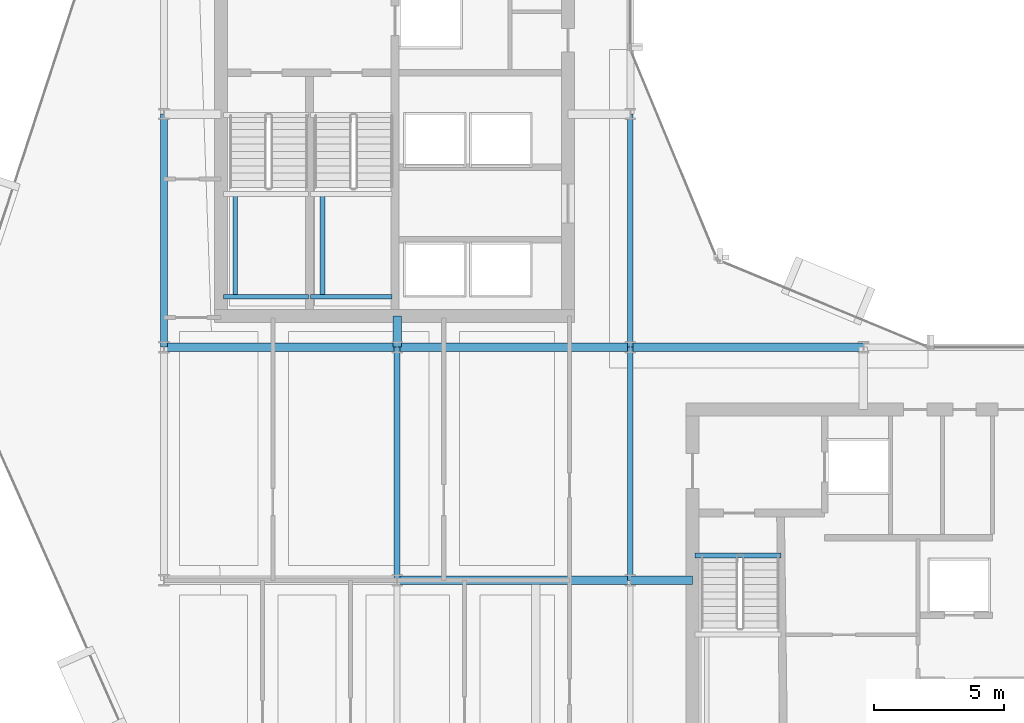
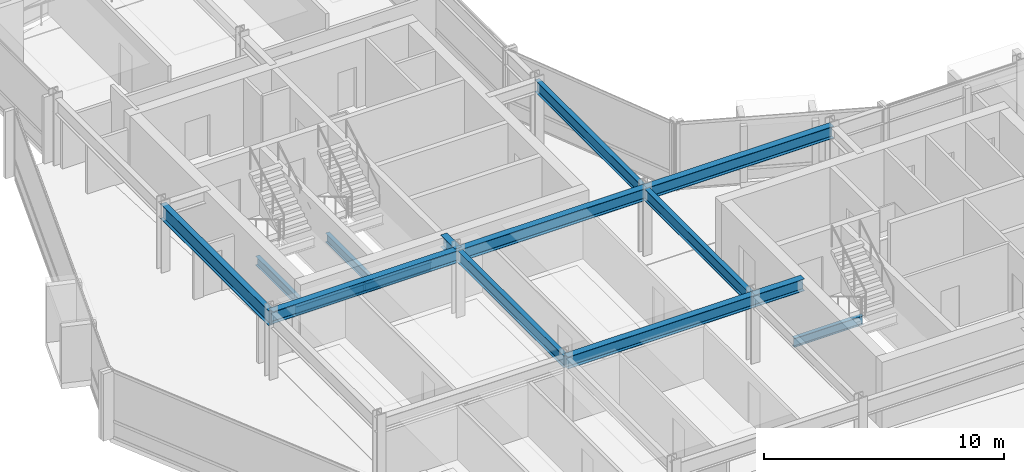
# One storey, part 7 of 28: 15 beams.
"""IFC4 building model written with IfcOpenShell, lengths in metres."""

from ifc_helpers import new_model, si_unit, direction, frame, origin, origin_2d, place, context, subcontext, project, spatial, i_section, extrude, material, material_profile, profile_set, type_object, element, save


model = new_model("IFC4")

# Units and contexts
model_context = context("Model", 3, precision=1e-05, world=origin(), true_north=direction((0.0, 1.0)))
body_context = subcontext(model_context, "Body", "Model", "MODEL_VIEW")
ifc_project = project(units=[si_unit("LENGTHUNIT", "METRE"), si_unit("AREAUNIT", "SQUARE_METRE"), si_unit("VOLUMEUNIT", "CUBIC_METRE"), si_unit("PLANEANGLEUNIT", "RADIAN"), si_unit("MASSUNIT", "GRAM", prefix="KILO")], contexts=[model_context])

# Site, building, storey
site_placement = place(None, origin())
site = spatial("IfcSite", under=ifc_project, at=site_placement, CompositionType="ELEMENT")
building_placement = place(site_placement, origin())
building = spatial("IfcBuilding", under=site, at=building_placement, Name="Solvaryn Broadcast Tower", CompositionType="ELEMENT")
storey_placement = place(building_placement, frame((0.0, 0.0, 158.10009765625)))
storey = spatial("IfcBuildingStorey", under=building, at=storey_placement, Name="L39", CompositionType="ELEMENT", Elevation=158.10009765625)

# Beams
ifc_material_1 = material(Name="Steel ASTM A992 Grade 50", Category="steel")
ifc_material_profile_1 = material_profile(ifc_material_1, i_section(OverallWidth=0.323974609375, OverallDepth=0.611083984375, WebThickness=0.0126953125, FlangeThickness=0.01904296875, FilletRadius=0.014892578125, at=origin_2d()))
ifc_profile_set_1 = profile_set([ifc_material_profile_1], Name="Steel ASTM A992 Grade 50")
beam_type_1 = type_object("IfcBeamType", Name="BM-B1-W24X104", PredefinedType="BEAM", material=ifc_profile_set_1)
for number, where, z_axis, x_axis, name in (
    (1, (18.0, 18.0, 3.114501953125), (1.0, 0.0, 0.0), (0.0, 1.0, 0.0), "L39 Primary Beam X (18-27 @ Y=18)"),
    (2, (9.0, 27.0, 3.114501953125), (1.0, 0.0, 0.0), (0.0, 1.0, 0.0), "L39 Primary Beam X (9-18 @ Y=27)"),
    (3, (18.0, 27.0, 3.114501953125), (1.0, 0.0, 0.0), (0.0, 1.0, 0.0), "L39 Primary Beam X (18-27 @ Y=27)"),
    (4, (27.0, 27.0, 3.114501953125), (1.0, 0.0, 0.0), (0.0, 1.0, 0.0), "L39 Primary Beam X (27-36 @ Y=27)"),
):
    element("IfcBeam", number, at=place(storey_placement, frame(where, z_axis=z_axis, x_axis=x_axis)), inside=storey, type_object=beam_type_1, Name=name, PredefinedType="BEAM", context=body_context, shape_type="SweptSolid", body=[
        extrude(i_section(OverallWidth=0.323974609375, OverallDepth=0.611083984375, WebThickness=0.0126953125, FlangeThickness=0.01904296875, FilletRadius=0.014892578125, at=origin_2d()), origin(), (0.0, 0.0, 1.0), 9.0),
    ])
beam_1_placement = place(storey_placement, frame((18.0, 27.0, 3.114501953125), z_axis=(0.0, 1.0, 0.0), x_axis=(-1.0, 0.0, 0.0)))
element("IfcBeam", 5, at=beam_1_placement, inside=storey, type_object=beam_type_1, Name="L39 Core Tie Beam CTW4", PredefinedType="BEAM", context=body_context, shape_type="SweptSolid", body=[
    extrude(i_section(OverallWidth=0.323974609375, OverallDepth=0.611083984375, WebThickness=0.0126953125, FlangeThickness=0.01904296875, FilletRadius=0.014892578125, at=origin_2d()), origin(), (0.0, 0.0, 1.0), 1.199951171875),
])
beam_2_placement = place(storey_placement, frame((27.0, 18.0, 3.114501953125), z_axis=(1.0, 0.0, 0.0), x_axis=(0.0, 1.0, 0.0)))
element("IfcBeam", 6, at=beam_2_placement, inside=storey, type_object=beam_type_1, Name="L39 Core Tie Beam CTE4", PredefinedType="BEAM", context=body_context, shape_type="SweptSolid", body=[
    extrude(i_section(OverallWidth=0.323974609375, OverallDepth=0.611083984375, WebThickness=0.0126953125, FlangeThickness=0.01904296875, FilletRadius=0.014892578125, at=origin_2d()), origin(), (0.0, 0.0, 1.0), 2.39990234375),
])
ifc_material_2 = material(Name="Steel ASTM A992 Grade 50", Category="steel")
ifc_material_profile_2 = material_profile(ifc_material_2, i_section(OverallWidth=0.22802734375, OverallDepth=0.60791015625, WebThickness=0.01123046875, FlangeThickness=0.017333984375, FilletRadius=0.014892578125, at=origin_2d()))
ifc_profile_set_2 = profile_set([ifc_material_profile_2], Name="Steel ASTM A992 Grade 50")
beam_type_2 = type_object("IfcBeamType", Name="BM-B2-W24X76", PredefinedType="BEAM", material=ifc_profile_set_2)
for number, where, z_axis, x_axis, name in (
    (7, (18.0, 18.0, 3.115966796875), (0.0, 1.0, 0.0), (-1.0, 0.0, 0.0), "L39 Primary Beam Y (18-27 @ X=18)"),
    (8, (27.0, 18.0, 3.115966796875), (0.0, 1.0, 0.0), (-1.0, 0.0, 0.0), "L39 Primary Beam Y (18-27 @ X=27)"),
    (9, (27.0, 27.0, 3.115966796875), (0.0, 1.0, 0.0), (-1.0, 0.0, 0.0), "L39 Primary Beam Y (27-36 @ X=27)"),
):
    element("IfcBeam", number, at=place(storey_placement, frame(where, z_axis=z_axis, x_axis=x_axis)), inside=storey, type_object=beam_type_2, Name=name, PredefinedType="BEAM", context=body_context, shape_type="SweptSolid", body=[
        extrude(i_section(OverallWidth=0.22802734375, OverallDepth=0.60791015625, WebThickness=0.01123046875, FlangeThickness=0.017333984375, FilletRadius=0.014892578125, at=origin_2d()), origin(), (0.0, 0.0, 1.0), 9.0),
    ])
ifc_material_3 = material(Name="Steel ASTM A992 Grade 50", Category="steel")
ifc_material_profile_3 = material_profile(ifc_material_3, i_section(OverallWidth=0.18994140625, OverallDepth=0.45703125, WebThickness=0.009033203125, FlangeThickness=0.014404296875, FilletRadius=0.011962890625, at=origin_2d()))
ifc_profile_set_3 = profile_set([ifc_material_profile_3], Name="Steel ASTM A992 Grade 50")
beam_type_3 = type_object("IfcBeamType", Name="BM-B4-W18X50", PredefinedType="BEAM", material=ifc_profile_set_3)
beam_3_placement = place(storey_placement, frame((11.300048828125, 28.949951171875, 1.42138671875), z_axis=(1.0, 0.0, 0.0), x_axis=(0.0, 1.0, 0.0)))
element("IfcBeam", 10, at=beam_3_placement, inside=storey, type_object=beam_type_3, Name="L39 ST1 Landing Support Beam 1A", PredefinedType="BEAM", context=body_context, shape_type="SweptSolid", body=[
    extrude(i_section(OverallWidth=0.18994140625, OverallDepth=0.45703125, WebThickness=0.009033203125, FlangeThickness=0.014404296875, FilletRadius=0.011962890625, at=origin_2d()), origin(), (0.0, 0.0, 1.0), 3.280029296875),
])
beam_4_placement = place(storey_placement, frame((11.75, 28.949951171875, 1.42138671875), z_axis=(0.0, 1.0, 0.0), x_axis=(-1.0, 0.0, 0.0)))
element("IfcBeam", 11, at=beam_4_placement, inside=storey, type_object=beam_type_3, Name="L39 ST1 Landing Cross Stringer 1C", PredefinedType="BEAM", context=body_context, shape_type="SweptSolid", body=[
    extrude(i_section(OverallWidth=0.18994140625, OverallDepth=0.45703125, WebThickness=0.009033203125, FlangeThickness=0.014404296875, FilletRadius=0.011962890625, at=origin_2d()), origin(), (0.0, 0.0, 1.0), 3.9599609375),
])
beam_5_placement = place(storey_placement, frame((14.659912109375, 28.949951171875, 1.42138671875), z_axis=(1.0, 0.0, 0.0), x_axis=(0.0, 1.0, 0.0)))
element("IfcBeam", 12, at=beam_5_placement, inside=storey, type_object=beam_type_3, Name="L39 ST2 Landing Support Beam 1A", PredefinedType="BEAM", context=body_context, shape_type="SweptSolid", body=[
    extrude(i_section(OverallWidth=0.18994140625, OverallDepth=0.45703125, WebThickness=0.009033203125, FlangeThickness=0.014404296875, FilletRadius=0.011962890625, at=origin_2d()), origin(), (0.0, 0.0, 1.0), 3.14013671875),
])
beam_6_placement = place(storey_placement, frame((15.110107421875, 28.949951171875, 1.42138671875), z_axis=(0.0, 1.0, 0.0), x_axis=(-1.0, 0.0, 0.0)))
element("IfcBeam", 13, at=beam_6_placement, inside=storey, type_object=beam_type_3, Name="L39 ST2 Landing Cross Stringer 1C", PredefinedType="BEAM", context=body_context, shape_type="SweptSolid", body=[
    extrude(i_section(OverallWidth=0.18994140625, OverallDepth=0.45703125, WebThickness=0.009033203125, FlangeThickness=0.014404296875, FilletRadius=0.011962890625, at=origin_2d()), origin(), (0.0, 0.0, 1.0), 3.9599609375),
])
beam_7_placement = place(storey_placement, frame((29.5, 18.9599609375, -0.508544921875), z_axis=(1.0, 0.0, 0.0), x_axis=(0.0, 1.0, 0.0)))
element("IfcBeam", 14, at=beam_7_placement, inside=storey, type_object=beam_type_3, Name="L39 ST3 Stair Well Trimmer Beam", PredefinedType="BEAM", context=body_context, shape_type="SweptSolid", body=[
    extrude(i_section(OverallWidth=0.18994140625, OverallDepth=0.45703125, WebThickness=0.009033203125, FlangeThickness=0.014404296875, FilletRadius=0.011962890625, at=origin_2d()), origin(), (0.0, 0.0, 1.0), 3.320068359375),
])
ifc_material_4 = material(Name="Steel ASTM A992 Grade 50", Category="steel")
ifc_material_profile_4 = material_profile(ifc_material_4, i_section(OverallWidth=0.26708984375, OverallDepth=0.76611328125, WebThickness=0.014892578125, FlangeThickness=0.023681640625, FilletRadius=0.01806640625, at=origin_2d()))
ifc_profile_set_4 = profile_set([ifc_material_profile_4], Name="Steel ASTM A992 Grade 50")
beam_type_4 = type_object("IfcBeamType", Name="BM-SP2-W30X124", PredefinedType="USERDEFINED", material=ifc_profile_set_4)
beam_8_placement = place(storey_placement, frame((9.0, 27.0, 3.036865234375), z_axis=(0.0, 1.0, 0.0), x_axis=(-1.0, 0.0, 0.0)))
element("IfcBeam", 15, at=beam_8_placement, inside=storey, type_object=beam_type_4, Name="L39 Spandrel Beam Y (27-36 @ X=9)", ObjectType="SPANDREL", PredefinedType="USERDEFINED", context=body_context, shape_type="SweptSolid", body=[
    extrude(i_section(OverallWidth=0.26708984375, OverallDepth=0.76611328125, WebThickness=0.014892578125, FlangeThickness=0.023681640625, FilletRadius=0.01806640625, at=origin_2d()), origin(), (0.0, 0.0, 1.0), 9.0),
])

save(model, "model.ifc")
